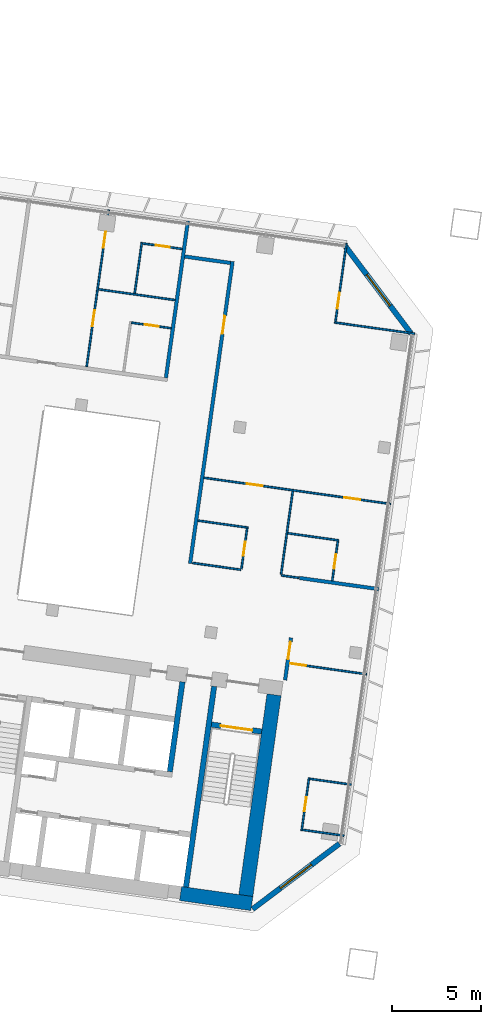
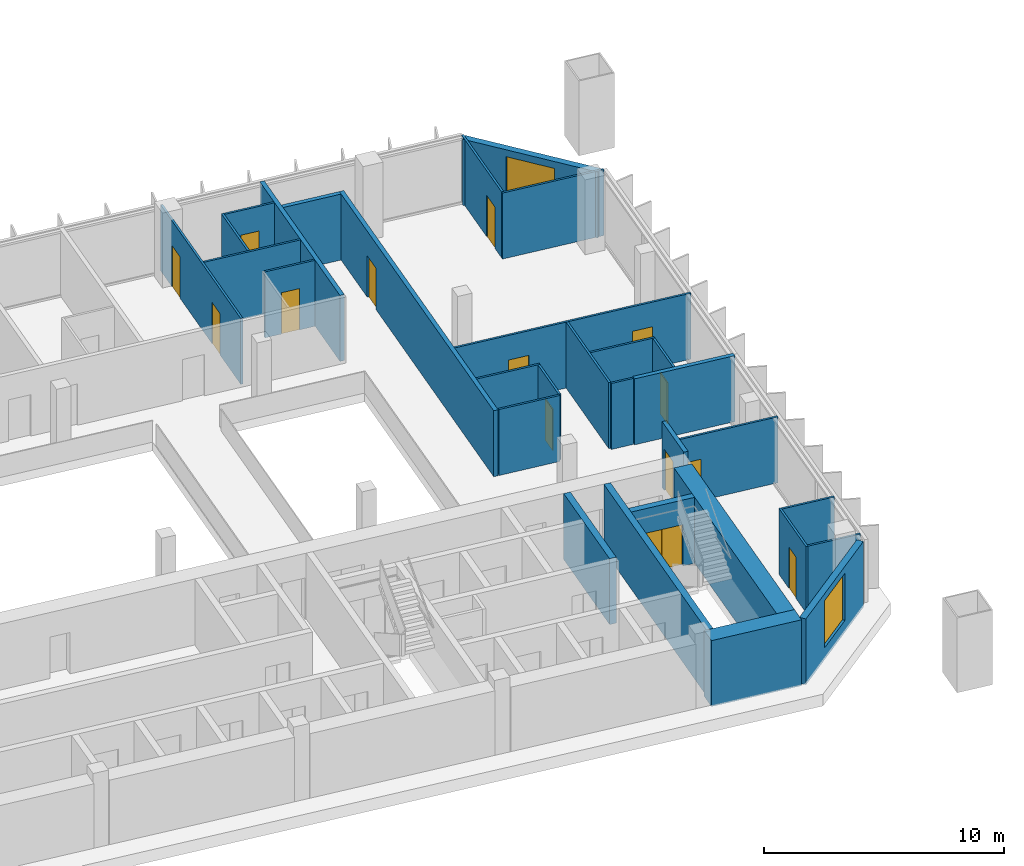
# One storey, part 17 of 24: 31 walls, 14 doors, 2 windows, 16 openings.
"""IFC4 building model written with IfcOpenShell, lengths in metres."""

from ifc_helpers import new_model, si_unit, direction, frame, frame_2d, origin, place, context, subcontext, project, spatial, rectangle, extrude, material, layer, layer_set, type_object, element, fill, save


model = new_model("IFC4")

# Units and contexts
model_context = context("Model", 3, precision=1e-05, world=origin(), true_north=direction((0.0, 1.0)))
body_context = subcontext(model_context, "Body", "Model", "MODEL_VIEW")
ifc_project = project(units=[si_unit("LENGTHUNIT", "METRE"), si_unit("AREAUNIT", "SQUARE_METRE"), si_unit("VOLUMEUNIT", "CUBIC_METRE"), si_unit("PLANEANGLEUNIT", "RADIAN"), si_unit("MASSUNIT", "GRAM", prefix="KILO")], contexts=[model_context])

# Site, building, storey
site_placement = place(None, origin())
site = spatial("IfcSite", under=ifc_project, at=site_placement, CompositionType="ELEMENT")
building_placement = place(site_placement, origin())
building = spatial("IfcBuilding", under=site, at=building_placement, Name="Mirante Cascada Hotel Towers", CompositionType="ELEMENT")
storey_placement = place(building_placement, frame((0.0, 0.0, 110.1)))
storey = spatial("IfcBuildingStorey", under=building, at=storey_placement, Name="L24", CompositionType="ELEMENT", Elevation=110.1)

# Walls
ifc_material_1 = material(Name="Fire-rated plasterboard on metal studs")
ifc_layer_1 = layer(ifc_material_1, 0.2)
ifc_layer_set_1 = layer_set([ifc_layer_1], Name="Compartment wall 200 EI 120")
wall_type_1 = type_object("IfcWallType", Name="Compartment wall 200 EI 120", PredefinedType="PARTITIONING", material=ifc_layer_set_1)
wall_1_placement = place(storey_placement, frame((-34.4562, -1.3737, 0.0), z_axis=(0.0, 0.0, 1.0), x_axis=(0.9902674, -0.1391779, 0.0)))
element("IfcWall", 1, at=wall_1_placement, inside=storey, type_object=wall_type_1, Name="Wall 1-L24-08", PredefinedType="PARTITIONING", context=body_context, shape_type="SweptSolid", body=[
    extrude(rectangle(XDim=4.5, YDim=0.2, at=frame_2d((2.25, 0.0))), origin(), (0.0, 0.0, 1.0), 3.35),
])
wall_2_placement = place(storey_placement, frame((-40.9036, 16.6995, 0.0), z_axis=(0.0, 0.0, 1.0), x_axis=(0.9902647, -0.1391971, 0.0)))
element("IfcWall", 2, at=wall_2_placement, inside=storey, type_object=wall_type_1, Name="Wall 1-L24-28", PredefinedType="PARTITIONING", context=body_context, shape_type="SweptSolid", body=[
    extrude(rectangle(XDim=2.5999, YDim=0.2, at=frame_2d((1.3, 0.0))), origin(), (0.0, 0.0, 1.0), 3.35),
])

# Wall, opening, door
wall_3_placement = place(storey_placement, frame((-34.9294, -4.7406, 0.0), z_axis=(0.0, 0.0, 1.0), x_axis=(-0.1391635, -0.9902694, 0.0)))
wall_3 = element("IfcWall", 3, at=wall_3_placement, inside=storey, type_object=wall_type_1, Name="Wall 1-L24-34", PredefinedType="PARTITIONING", context=body_context, shape_type="SweptSolid", body=[
    extrude(rectangle(XDim=2.4001, YDim=0.2, at=frame_2d((1.2, 0.0))), origin(), (0.0, 0.0, 1.0), 3.35),
])
opening_1_placement = place(wall_3_placement, frame((0.2167, 0.0, 0.0)))
opening_1 = element("IfcOpeningElement", 4, at=opening_1_placement, cuts=wall_3, Name="Opening D1-L24-28", PredefinedType="OPENING", context=body_context, shape_type="SweptSolid", body=[
    extrude(rectangle(XDim=1.0, YDim=2.1, at=frame_2d((0.5, 1.05))), frame((0.0, 0.1, 0.0), z_axis=(0.0, -1.0, 0.0), x_axis=(1.0, 0.0, 0.0)), (0.0, 0.0, 1.0), 0.2),
])
ifc_material_2 = material(Name="Fire-rated timber door leaf", Category="wood")
door_type_1 = type_object("IfcDoorType", Name="Entrance door DG1 1000x2100 EI 60", OperationType="SINGLE_SWING_LEFT", PredefinedType="DOOR", material=ifc_material_2)
door_1_placement = place(opening_1_placement, origin())
door_1 = element("IfcDoor", 5, at=door_1_placement, inside=storey, type_object=door_type_1, Name="Door D1-L24-28", OperationType="SINGLE_SWING_LEFT", OverallHeight=2.1, OverallWidth=1.0, PredefinedType="DOOR", context=body_context, shape_type="SweptSolid", body=[
    extrude(rectangle(XDim=1.0, YDim=2.1, at=frame_2d((0.5, 1.05))), frame((0.0, 0.025, 0.0), z_axis=(0.0, -1.0, 0.0), x_axis=(1.0, 0.0, 0.0)), (0.0, 0.0, 1.0), 0.05),
])
fill(opening_1, door_1)

wall_4_placement = place(storey_placement, frame((-38.216, 16.4227, 0.0), z_axis=(0.0, 0.0, 1.0), x_axis=(-0.139172, -0.9902682, 0.0)))
wall_4 = element("IfcWall", 6, at=wall_4_placement, inside=storey, type_object=wall_type_1, Name="Wall 1-L24-38", PredefinedType="PARTITIONING", context=body_context, shape_type="SweptSolid", body=[
    extrude(rectangle(XDim=17.15, YDim=0.2, at=frame_2d((8.575, 0.0))), origin(), (0.0, 0.0, 1.0), 3.35),
])
opening_2_placement = place(wall_4_placement, frame((3.1, 0.0, 0.0)))
opening_2 = element("IfcOpeningElement", 7, at=opening_2_placement, cuts=wall_4, Name="Opening D1-L24-31", PredefinedType="OPENING", context=body_context, shape_type="SweptSolid", body=[
    extrude(rectangle(XDim=1.0, YDim=2.1, at=frame_2d((0.5, 1.05))), frame((0.0, 0.1, 0.0), z_axis=(0.0, -1.0, 0.0), x_axis=(1.0, 0.0, 0.0)), (0.0, 0.0, 1.0), 0.2),
])
door_2_placement = place(opening_2_placement, origin())
door_2 = element("IfcDoor", 8, at=door_2_placement, inside=storey, type_object=door_type_1, Name="Door D1-L24-31", OperationType="SINGLE_SWING_LEFT", OverallHeight=2.1, OverallWidth=1.0, PredefinedType="DOOR", context=body_context, shape_type="SweptSolid", body=[
    extrude(rectangle(XDim=1.0, YDim=2.1, at=frame_2d((0.5, 1.05))), frame((0.0, 0.025, 0.0), z_axis=(0.0, -1.0, 0.0), x_axis=(1.0, 0.0, 0.0)), (0.0, 0.0, 1.0), 0.05),
])
fill(opening_2, door_2)

# Walls
wall_5_placement = place(storey_placement, frame((-41.963, 9.8805, 0.0), z_axis=(0.0, 0.0, 1.0), x_axis=(0.1391794, 0.9902672, 0.0)))
element("IfcWall", 9, at=wall_5_placement, inside=storey, type_object=wall_type_1, Name="Wall 1-L24-39", PredefinedType="PARTITIONING", context=body_context, shape_type="SweptSolid", body=[
    extrude(rectangle(XDim=8.9, YDim=0.2, at=frame_2d((4.45, 0.0))), origin(), (0.0, 0.0, 1.0), 3.35),
])
ifc_material_3 = material(Name="Plasterboard on metal studs")
ifc_layer_2 = layer(ifc_material_3, 0.1)
ifc_layer_set_2 = layer_set([ifc_layer_2], Name="Partition 100")
wall_type_2 = type_object("IfcWallType", Name="Partition 100", PredefinedType="PARTITIONING", material=ifc_layer_set_2)
for number, where, z_axis, x_axis, name in (
    (10, (-34.2756, -15.5367, 0.0), (0.0, 0.0, 1.0), (0.9902661, -0.139187, 0.0), "Wall 1-L24-02"),
    (11, (-31.5448, -12.992, 0.0), (0.0, 0.0, 1.0), (-0.9902661, 0.139187, 0.0), "Wall 1-L24-03"),
):
    element("IfcWall", number, at=place(storey_placement, frame(where, z_axis=z_axis, x_axis=x_axis)), inside=storey, type_object=wall_type_2, Name=name, PredefinedType="PARTITIONING", context=body_context, shape_type="SweptSolid", body=[
        extrude(rectangle(XDim=2.3501, YDim=0.1, at=frame_2d((1.175, 0.0))), origin(), (0.0, 0.0, 1.0), 3.35),
    ])

# Wall, opening, door
wall_6_placement = place(storey_placement, frame((-35.0298, -6.1739, 0.0), z_axis=(0.0, 0.0, 1.0), x_axis=(0.9902665, -0.1391841, 0.0)))
wall_6 = element("IfcWall", 12, at=wall_6_placement, inside=storey, type_object=wall_type_2, Name="Wall 1-L24-04", PredefinedType="PARTITIONING", context=body_context, shape_type="SweptSolid", body=[
    extrude(rectangle(XDim=4.3999, YDim=0.1, at=frame_2d((2.2, 0.0))), origin(), (0.0, 0.0, 1.0), 3.35),
])
opening_3_placement = place(wall_6_placement, frame((0.05, 0.0, 0.0)))
opening_3 = element("IfcOpeningElement", 13, at=opening_3_placement, cuts=wall_6, Name="Opening D1-L24-02", PredefinedType="OPENING", context=body_context, shape_type="SweptSolid", body=[
    extrude(rectangle(XDim=0.9, YDim=2.1, at=frame_2d((0.45, 1.05))), frame((0.0, 0.05, 0.0), z_axis=(0.0, -1.0, 0.0), x_axis=(1.0, 0.0, 0.0)), (0.0, 0.0, 1.0), 0.1),
])
ifc_material_4 = material(Name="Timber door leaf", Category="wood")
door_type_2 = type_object("IfcDoorType", Name="Room door DG3 900x2100", OperationType="SINGLE_SWING_LEFT", PredefinedType="DOOR", material=ifc_material_4)
door_3_placement = place(opening_3_placement, frame((0.9, 0.0, 0.0), z_axis=(0.0, 0.0, 1.0), x_axis=(-1.0, 0.0, 0.0)))
door_3 = element("IfcDoor", 14, at=door_3_placement, inside=storey, type_object=door_type_2, Name="Door D1-L24-02", OperationType="SINGLE_SWING_RIGHT", OverallHeight=2.1, OverallWidth=0.9, PredefinedType="DOOR", context=body_context, shape_type="SweptSolid", body=[
    extrude(rectangle(XDim=0.9, YDim=2.1, at=frame_2d((0.45, 1.05))), frame((0.0, 0.025, 0.0), z_axis=(0.0, -1.0, 0.0), x_axis=(1.0, 0.0, 0.0)), (0.0, 0.0, 1.0), 0.05),
])
fill(opening_3, door_3)

# Walls
wall_7_placement = place(storey_placement, frame((-34.4859, -1.3695, 0.0), z_axis=(0.0, 0.0, 1.0), x_axis=(-0.9902801, 0.1390877, 0.0)))
element("IfcWall", 15, at=wall_7_placement, inside=storey, type_object=wall_type_2, Name="Wall 1-L24-09", PredefinedType="PARTITIONING", context=body_context, shape_type="SweptSolid", body=[
    extrude(rectangle(XDim=0.99, YDim=0.1, at=frame_2d((0.495, 0.0))), origin(), (0.0, 0.0, 1.0), 3.35),
])
wall_8_placement = place(storey_placement, frame((-40.4671, -0.5289, 0.0), z_axis=(0.0, 0.0, 1.0), x_axis=(0.9902645, -0.1391984, 0.0)))
element("IfcWall", 16, at=wall_8_placement, inside=storey, type_object=wall_type_2, Name="Wall 1-L24-10", PredefinedType="PARTITIONING", context=body_context, shape_type="SweptSolid", body=[
    extrude(rectangle(XDim=2.74, YDim=0.1, at=frame_2d((1.37, 0.0))), origin(), (0.0, 0.0, 1.0), 3.35),
])
wall_9_placement = place(storey_placement, frame((-35.1125, 1.1421, 0.0), z_axis=(0.0, 0.0, 1.0), x_axis=(0.9902683, -0.1391714, 0.0)))
element("IfcWall", 17, at=wall_9_placement, inside=storey, type_object=wall_type_2, Name="Wall 1-L24-12", PredefinedType="PARTITIONING", context=body_context, shape_type="SweptSolid", body=[
    extrude(rectangle(XDim=2.9, YDim=0.1, at=frame_2d((1.45, 0.0))), origin(), (0.0, 0.0, 1.0), 3.35),
])
wall_10_placement = place(storey_placement, frame((-37.3406, 1.4552, 0.0), z_axis=(0.0, 0.0, 1.0), x_axis=(-0.9902649, 0.1391957, 0.0)))
element("IfcWall", 18, at=wall_10_placement, inside=storey, type_object=wall_type_2, Name="Wall 1-L24-13", PredefinedType="PARTITIONING", context=body_context, shape_type="SweptSolid", body=[
    extrude(rectangle(XDim=2.8499, YDim=0.1, at=frame_2d((1.425, 0.0))), origin(), (0.0, 0.0, 1.0), 3.35),
])

# Wall, openings, doors
wall_11_placement = place(storey_placement, frame((-39.8242, 4.2615, 0.0), z_axis=(0.0, 0.0, 1.0), x_axis=(0.9902686, -0.1391691, 0.0)))
wall_11 = element("IfcWall", 19, at=wall_11_placement, inside=storey, type_object=wall_type_2, Name="Wall 1-L24-16", PredefinedType="PARTITIONING", context=body_context, shape_type="SweptSolid", body=[
    extrude(rectangle(XDim=10.6001, YDim=0.1, at=frame_2d((5.3, 0.0))), origin(), (0.0, 0.0, 1.0), 3.35),
])
opening_4_placement = place(wall_11_placement, frame((7.975, 0.0, 0.0)))
opening_4 = element("IfcOpeningElement", 20, at=opening_4_placement, cuts=wall_11, Name="Opening D1-L24-05", PredefinedType="OPENING", context=body_context, shape_type="SweptSolid", body=[
    extrude(rectangle(XDim=0.9, YDim=2.1, at=frame_2d((0.45, 1.05))), frame((0.0, 0.05, 0.0), z_axis=(0.0, -1.0, 0.0), x_axis=(1.0, 0.0, 0.0)), (0.0, 0.0, 1.0), 0.1),
])
opening_5_placement = place(wall_11_placement, frame((2.425, 0.0, 0.0)))
opening_5 = element("IfcOpeningElement", 21, at=opening_5_placement, cuts=wall_11, Name="Opening D1-L24-06", PredefinedType="OPENING", context=body_context, shape_type="SweptSolid", body=[
    extrude(rectangle(XDim=0.9, YDim=2.1, at=frame_2d((0.45, 1.05))), frame((0.0, 0.05, 0.0), z_axis=(0.0, -1.0, 0.0), x_axis=(1.0, 0.0, 0.0)), (0.0, 0.0, 1.0), 0.1),
])
door_4_placement = place(opening_4_placement, origin())
door_4 = element("IfcDoor", 22, at=door_4_placement, inside=storey, type_object=door_type_2, Name="Door D1-L24-05", OperationType="SINGLE_SWING_LEFT", OverallHeight=2.1, OverallWidth=0.9, PredefinedType="DOOR", context=body_context, shape_type="SweptSolid", body=[
    extrude(rectangle(XDim=0.9, YDim=2.1, at=frame_2d((0.45, 1.05))), frame((0.0, 0.025, 0.0), z_axis=(0.0, -1.0, 0.0), x_axis=(1.0, 0.0, 0.0)), (0.0, 0.0, 1.0), 0.05),
])
fill(opening_4, door_4)
door_5_placement = place(opening_5_placement, origin())
door_5 = element("IfcDoor", 23, at=door_5_placement, inside=storey, type_object=door_type_2, Name="Door D1-L24-06", OperationType="SINGLE_SWING_LEFT", OverallHeight=2.1, OverallWidth=0.9, PredefinedType="DOOR", context=body_context, shape_type="SweptSolid", body=[
    extrude(rectangle(XDim=0.9, YDim=2.1, at=frame_2d((0.45, 1.05))), frame((0.0, 0.025, 0.0), z_axis=(0.0, -1.0, 0.0), x_axis=(1.0, 0.0, 0.0)), (0.0, 0.0, 1.0), 0.05),
])
fill(opening_5, door_5)

# Wall, opening, door
wall_12_placement = place(storey_placement, frame((-41.6723, 12.6672, 0.0), z_axis=(0.0, 0.0, 1.0), x_axis=(-0.9902643, 0.1391997, 0.0)))
wall_12 = element("IfcWall", 24, at=wall_12_placement, inside=storey, type_object=wall_type_2, Name="Wall 1-L24-19", PredefinedType="PARTITIONING", context=body_context, shape_type="SweptSolid", body=[
    extrude(rectangle(XDim=2.25, YDim=0.1, at=frame_2d((1.125, 0.0))), origin(), (0.0, 0.0, 1.0), 3.35),
])
opening_6_placement = place(wall_12_placement, frame((0.7, 0.0, 0.0)))
opening_6 = element("IfcOpeningElement", 25, at=opening_6_placement, cuts=wall_12, Name="Opening D1-L24-16", PredefinedType="OPENING", context=body_context, shape_type="SweptSolid", body=[
    extrude(rectangle(XDim=0.8, YDim=2.1, at=frame_2d((0.4, 1.05))), frame((0.0, 0.05, 0.0), z_axis=(0.0, -1.0, 0.0), x_axis=(1.0, 0.0, 0.0)), (0.0, 0.0, 1.0), 0.1),
])
ifc_material_5 = material(Name="Timber door leaf", Category="wood")
door_type_3 = type_object("IfcDoorType", Name="Bathroom door DG4 800x2100", OperationType="SINGLE_SWING_LEFT", PredefinedType="DOOR", material=ifc_material_5)
door_6_placement = place(opening_6_placement, origin())
door_6 = element("IfcDoor", 26, at=door_6_placement, inside=storey, type_object=door_type_3, Name="Door D1-L24-16", OperationType="SINGLE_SWING_LEFT", OverallHeight=2.1, OverallWidth=0.8, PredefinedType="DOOR", context=body_context, shape_type="SweptSolid", body=[
    extrude(rectangle(XDim=0.8, YDim=2.1, at=frame_2d((0.4, 1.05))), frame((0.0, 0.025, 0.0), z_axis=(0.0, -1.0, 0.0), x_axis=(1.0, 0.0, 0.0)), (0.0, 0.0, 1.0), 0.05),
])
fill(opening_6, door_6)

# Walls
wall_13_placement = place(storey_placement, frame((-27.982, 12.3589, 0.0), z_axis=(0.0, 0.0, 1.0), x_axis=(-0.9902691, 0.1391656, 0.0)))
element("IfcWall", 27, at=wall_13_placement, inside=storey, type_object=wall_type_2, Name="Wall 1-L24-25", PredefinedType="PARTITIONING", context=body_context, shape_type="SweptSolid", body=[
    extrude(rectangle(XDim=4.55, YDim=0.1, at=frame_2d((2.275, 0.0))), origin(), (0.0, 0.0, 1.0), 3.35),
])
wall_14_placement = place(storey_placement, frame((-45.7573, 14.857, 0.0), z_axis=(0.0, 0.0, 1.0), x_axis=(0.9902683, -0.1391714, 0.0)))
element("IfcWall", 28, at=wall_14_placement, inside=storey, type_object=wall_type_2, Name="Wall 1-L24-26", PredefinedType="PARTITIONING", context=body_context, shape_type="SweptSolid", body=[
    extrude(rectangle(XDim=4.35, YDim=0.1, at=frame_2d((2.175, 0.0))), origin(), (0.0, 0.0, 1.0), 3.35),
])

# Wall, opening, door
wall_15_placement = place(storey_placement, frame((-43.2741, 17.4366, 0.0), z_axis=(0.0, 0.0, 1.0), x_axis=(0.9902643, -0.1391997, 0.0)))
wall_15 = element("IfcWall", 29, at=wall_15_placement, inside=storey, type_object=wall_type_2, Name="Wall 1-L24-30", PredefinedType="PARTITIONING", context=body_context, shape_type="SweptSolid", body=[
    extrude(rectangle(XDim=2.25, YDim=0.1, at=frame_2d((1.125, 0.0))), origin(), (0.0, 0.0, 1.0), 3.35),
])
opening_7_placement = place(wall_15_placement, frame((0.75, 0.0, 0.0)))
opening_7 = element("IfcOpeningElement", 30, at=opening_7_placement, cuts=wall_15, Name="Opening D1-L24-24", PredefinedType="OPENING", context=body_context, shape_type="SweptSolid", body=[
    extrude(rectangle(XDim=0.8, YDim=2.1, at=frame_2d((0.4, 1.05))), frame((0.0, 0.05, 0.0), z_axis=(0.0, -1.0, 0.0), x_axis=(1.0, 0.0, 0.0)), (0.0, 0.0, 1.0), 0.1),
])
door_7_placement = place(opening_7_placement, frame((0.8, 0.0, 0.0), z_axis=(0.0, 0.0, 1.0), x_axis=(-1.0, 0.0, 0.0)))
door_7 = element("IfcDoor", 31, at=door_7_placement, inside=storey, type_object=door_type_3, Name="Door D1-L24-24", OperationType="SINGLE_SWING_RIGHT", OverallHeight=2.1, OverallWidth=0.8, PredefinedType="DOOR", context=body_context, shape_type="SweptSolid", body=[
    extrude(rectangle(XDim=0.8, YDim=2.1, at=frame_2d((0.4, 1.05))), frame((0.0, 0.025, 0.0), z_axis=(0.0, -1.0, 0.0), x_axis=(1.0, 0.0, 0.0)), (0.0, 0.0, 1.0), 0.05),
])
fill(opening_7, door_7)

wall_16_placement = place(storey_placement, frame((-33.9145, -12.6084, 0.0), z_axis=(0.0, 0.0, 1.0), x_axis=(-0.1391624, -0.9902696, 0.0)))
wall_16 = element("IfcWall", 32, at=wall_16_placement, inside=storey, type_object=wall_type_2, Name="Wall 1-L24-32", PredefinedType="PARTITIONING", context=body_context, shape_type="SweptSolid", body=[
    extrude(rectangle(XDim=3.0001, YDim=0.1, at=frame_2d((1.5001, 0.0))), origin(), (0.0, 0.0, 1.0), 3.35),
])
opening_8_placement = place(wall_16_placement, frame((1.1, 0.0, 0.0)))
opening_8 = element("IfcOpeningElement", 33, at=opening_8_placement, cuts=wall_16, Name="Opening D1-L24-26", PredefinedType="OPENING", context=body_context, shape_type="SweptSolid", body=[
    extrude(rectangle(XDim=0.8, YDim=2.1, at=frame_2d((0.4, 1.05))), frame((0.0, 0.05, 0.0), z_axis=(0.0, -1.0, 0.0), x_axis=(1.0, 0.0, 0.0)), (0.0, 0.0, 1.0), 0.1),
])
door_8_placement = place(opening_8_placement, frame((0.8, 0.0, 0.0), z_axis=(0.0, 0.0, 1.0), x_axis=(-1.0, 0.0, 0.0)))
door_8 = element("IfcDoor", 34, at=door_8_placement, inside=storey, type_object=door_type_3, Name="Door D1-L24-26", OperationType="SINGLE_SWING_RIGHT", OverallHeight=2.1, OverallWidth=0.8, PredefinedType="DOOR", context=body_context, shape_type="SweptSolid", body=[
    extrude(rectangle(XDim=0.8, YDim=2.1, at=frame_2d((0.4, 1.05))), frame((0.0, 0.025, 0.0), z_axis=(0.0, -1.0, 0.0), x_axis=(1.0, 0.0, 0.0)), (0.0, 0.0, 1.0), 0.05),
])
fill(opening_8, door_8)

wall_17_placement = place(storey_placement, frame((-32.6103, -1.5322, 0.0), z_axis=(0.0, 0.0, 1.0), x_axis=(0.1391561, 0.9902705, 0.0)))
wall_17 = element("IfcWall", 35, at=wall_17_placement, inside=storey, type_object=wall_type_2, Name="Wall 1-L24-33", PredefinedType="PARTITIONING", context=body_context, shape_type="SweptSolid", body=[
    extrude(rectangle(XDim=2.25, YDim=0.1, at=frame_2d((1.125, 0.0))), origin(), (0.0, 0.0, 1.0), 3.35),
])
opening_9_placement = place(wall_17_placement, frame((0.7, 0.0, 0.0)))
opening_9 = element("IfcOpeningElement", 36, at=opening_9_placement, cuts=wall_17, Name="Opening D1-L24-27", PredefinedType="OPENING", context=body_context, shape_type="SweptSolid", body=[
    extrude(rectangle(XDim=0.8, YDim=2.1, at=frame_2d((0.4, 1.05))), frame((0.0, 0.05, 0.0), z_axis=(0.0, -1.0, 0.0), x_axis=(1.0, 0.0, 0.0)), (0.0, 0.0, 1.0), 0.1),
])
door_9_placement = place(opening_9_placement, origin())
door_9 = element("IfcDoor", 37, at=door_9_placement, inside=storey, type_object=door_type_3, Name="Door D1-L24-27", OperationType="SINGLE_SWING_LEFT", OverallHeight=2.1, OverallWidth=0.8, PredefinedType="DOOR", context=body_context, shape_type="SweptSolid", body=[
    extrude(rectangle(XDim=0.8, YDim=2.1, at=frame_2d((0.4, 1.05))), frame((0.0, 0.025, 0.0), z_axis=(0.0, -1.0, 0.0), x_axis=(1.0, 0.0, 0.0)), (0.0, 0.0, 1.0), 0.05),
])
fill(opening_9, door_9)

wall_18_placement = place(storey_placement, frame((-32.4312, 13.0347, 0.0), z_axis=(0.0, 0.0, 1.0), x_axis=(0.1391684, 0.9902687, 0.0)))
wall_18 = element("IfcWall", 38, at=wall_18_placement, inside=storey, type_object=wall_type_2, Name="Wall 1-L24-35", PredefinedType="PARTITIONING", context=body_context, shape_type="SweptSolid", body=[
    extrude(rectangle(XDim=4.45, YDim=0.1, at=frame_2d((2.225, 0.0))), origin(), (0.0, 0.0, 1.0), 3.35),
])
opening_10_placement = place(wall_18_placement, frame((0.75, 0.0, 0.0)))
opening_10 = element("IfcOpeningElement", 39, at=opening_10_placement, cuts=wall_18, Name="Opening D1-L24-29", PredefinedType="OPENING", context=body_context, shape_type="SweptSolid", body=[
    extrude(rectangle(XDim=0.9, YDim=2.1, at=frame_2d((0.45, 1.05))), frame((0.0, 0.05, 0.0), z_axis=(0.0, -1.0, 0.0), x_axis=(1.0, 0.0, 0.0)), (0.0, 0.0, 1.0), 0.1),
])
door_10_placement = place(opening_10_placement, origin())
door_10 = element("IfcDoor", 40, at=door_10_placement, inside=storey, type_object=door_type_2, Name="Door D1-L24-29", OperationType="SINGLE_SWING_LEFT", OverallHeight=2.1, OverallWidth=0.9, PredefinedType="DOOR", context=body_context, shape_type="SweptSolid", body=[
    extrude(rectangle(XDim=0.9, YDim=2.1, at=frame_2d((0.45, 1.05))), frame((0.0, 0.025, 0.0), z_axis=(0.0, -1.0, 0.0), x_axis=(1.0, 0.0, 0.0)), (0.0, 0.0, 1.0), 0.05),
])
fill(opening_10, door_10)

# Wall
wall_19_placement = place(storey_placement, frame((-34.8303, 3.5092, 0.0), z_axis=(0.0, 0.0, 1.0), x_axis=(-0.1391613, -0.9902697, 0.0)))
element("IfcWall", 41, at=wall_19_placement, inside=storey, type_object=wall_type_2, Name="Wall 1-L24-36", PredefinedType="PARTITIONING", context=body_context, shape_type="SweptSolid", body=[
    extrude(rectangle(XDim=4.7334, YDim=0.1, at=frame_2d((2.3667, 0.0))), origin(), (0.0, 0.0, 1.0), 3.35),
])

# Wall, opening, door
wall_20_placement = place(storey_placement, frame((-37.7171, -0.8649, 0.0), z_axis=(0.0, 0.0, 1.0), x_axis=(0.1391749, 0.9902678, 0.0)))
wall_20 = element("IfcWall", 42, at=wall_20_placement, inside=storey, type_object=wall_type_2, Name="Wall 1-L24-37", PredefinedType="PARTITIONING", context=body_context, shape_type="SweptSolid", body=[
    extrude(rectangle(XDim=2.3, YDim=0.1, at=frame_2d((1.15, 0.0))), origin(), (0.0, 0.0, 1.0), 3.35),
])
opening_11_placement = place(wall_20_placement, frame((0.75, 0.0, 0.0)))
opening_11 = element("IfcOpeningElement", 43, at=opening_11_placement, cuts=wall_20, Name="Opening D1-L24-30", PredefinedType="OPENING", context=body_context, shape_type="SweptSolid", body=[
    extrude(rectangle(XDim=0.8, YDim=2.1, at=frame_2d((0.4, 1.05))), frame((0.0, 0.05, 0.0), z_axis=(0.0, -1.0, 0.0), x_axis=(1.0, 0.0, 0.0)), (0.0, 0.0, 1.0), 0.1),
])
door_11_placement = place(opening_11_placement, origin())
door_11 = element("IfcDoor", 44, at=door_11_placement, inside=storey, type_object=door_type_3, Name="Door D1-L24-30", OperationType="SINGLE_SWING_LEFT", OverallHeight=2.1, OverallWidth=0.8, PredefinedType="DOOR", context=body_context, shape_type="SweptSolid", body=[
    extrude(rectangle(XDim=0.8, YDim=2.1, at=frame_2d((0.4, 1.05))), frame((0.0, 0.025, 0.0), z_axis=(0.0, -1.0, 0.0), x_axis=(1.0, 0.0, 0.0)), (0.0, 0.0, 1.0), 0.05),
])
fill(opening_11, door_11)

# Wall
wall_21_placement = place(storey_placement, frame((-43.7203, 14.6213, 0.0), z_axis=(0.0, 0.0, 1.0), x_axis=(0.1391761, 0.9902676, 0.0)))
element("IfcWall", 45, at=wall_21_placement, inside=storey, type_object=wall_type_2, Name="Wall 1-L24-41", PredefinedType="PARTITIONING", context=body_context, shape_type="SweptSolid", body=[
    extrude(rectangle(XDim=2.8999, YDim=0.1, at=frame_2d((1.45, 0.0))), origin(), (0.0, 0.0, 1.0), 3.35),
])

# Wall, openings, doors
wall_22_placement = place(storey_placement, frame((-45.1805, 19.3202, 0.0), z_axis=(0.0, 0.0, 1.0), x_axis=(-0.1391794, -0.9902672, 0.0)))
wall_22 = element("IfcWall", 46, at=wall_22_placement, inside=storey, type_object=wall_type_2, Name="Wall 1-L24-42", PredefinedType="PARTITIONING", context=body_context, shape_type="SweptSolid", body=[
    extrude(rectangle(XDim=8.9, YDim=0.1, at=frame_2d((4.45, 0.0))), origin(), (0.0, 0.0, 1.0), 3.35),
])
opening_12_placement = place(wall_22_placement, frame((5.7, 0.0, 0.0)))
opening_12 = element("IfcOpeningElement", 47, at=opening_12_placement, cuts=wall_22, Name="Opening D1-L24-32", PredefinedType="OPENING", context=body_context, shape_type="SweptSolid", body=[
    extrude(rectangle(XDim=0.9, YDim=2.1, at=frame_2d((0.45, 1.05))), frame((0.0, 0.05, 0.0), z_axis=(0.0, -1.0, 0.0), x_axis=(1.0, 0.0, 0.0)), (0.0, 0.0, 1.0), 0.1),
])
opening_13_placement = place(wall_22_placement, frame((1.25, 0.0, 0.0)))
opening_13 = element("IfcOpeningElement", 48, at=opening_13_placement, cuts=wall_22, Name="Opening D1-L24-33", PredefinedType="OPENING", context=body_context, shape_type="SweptSolid", body=[
    extrude(rectangle(XDim=0.9, YDim=2.1, at=frame_2d((0.45, 1.05))), frame((0.0, 0.05, 0.0), z_axis=(0.0, -1.0, 0.0), x_axis=(1.0, 0.0, 0.0)), (0.0, 0.0, 1.0), 0.1),
])
door_12_placement = place(opening_12_placement, frame((0.9, 0.0, 0.0), z_axis=(0.0, 0.0, 1.0), x_axis=(-1.0, 0.0, 0.0)))
door_12 = element("IfcDoor", 49, at=door_12_placement, inside=storey, type_object=door_type_2, Name="Door D1-L24-32", OperationType="SINGLE_SWING_RIGHT", OverallHeight=2.1, OverallWidth=0.9, PredefinedType="DOOR", context=body_context, shape_type="SweptSolid", body=[
    extrude(rectangle(XDim=0.9, YDim=2.1, at=frame_2d((0.45, 1.05))), frame((0.0, 0.025, 0.0), z_axis=(0.0, -1.0, 0.0), x_axis=(1.0, 0.0, 0.0)), (0.0, 0.0, 1.0), 0.05),
])
fill(opening_12, door_12)
door_13_placement = place(opening_13_placement, frame((0.9, 0.0, 0.0), z_axis=(0.0, 0.0, 1.0), x_axis=(-1.0, 0.0, 0.0)))
door_13 = element("IfcDoor", 50, at=door_13_placement, inside=storey, type_object=door_type_2, Name="Door D1-L24-33", OperationType="SINGLE_SWING_RIGHT", OverallHeight=2.1, OverallWidth=0.9, PredefinedType="DOOR", context=body_context, shape_type="SweptSolid", body=[
    extrude(rectangle(XDim=0.9, YDim=2.1, at=frame_2d((0.45, 1.05))), frame((0.0, 0.025, 0.0), z_axis=(0.0, -1.0, 0.0), x_axis=(1.0, 0.0, 0.0)), (0.0, 0.0, 1.0), 0.05),
])
fill(opening_13, door_13)

# Wall, opening, window
ifc_material_6 = material(Name="Precast concrete C40/50", Category="concrete")
ifc_layer_3 = layer(ifc_material_6, 0.3)
ifc_layer_set_3 = layer_set([ifc_layer_3], Name="Precast concrete C40/50 cladding wall 300")
wall_type_3 = type_object("IfcWallType", Name="Precast concrete C40/50 cladding wall 300", PredefinedType="STANDARD", material=ifc_layer_set_3)
wall_23_placement = place(storey_placement, frame((-31.857, 17.252, 0.0), z_axis=(0.0, 0.0, 1.0), x_axis=(0.6018141, -0.7986362, 0.0)))
wall_23 = element("IfcWall", 51, at=wall_23_placement, inside=storey, type_object=wall_type_3, Name="Corner cladding wall T1 L24 front inner", PredefinedType="STANDARD", context=body_context, shape_type="SweptSolid", body=[
    extrude(rectangle(XDim=6.1157, YDim=0.3, at=frame_2d((3.0578, 0.0))), origin(), (0.0, 0.0, 1.0), 3.35),
])
opening_14_placement = place(wall_23_placement, frame((1.9578, 0.0, 0.6)))
opening_14 = element("IfcOpeningElement", 52, at=opening_14_placement, cuts=wall_23, Name="Opening W1-24-05", PredefinedType="OPENING", context=body_context, shape_type="SweptSolid", body=[
    extrude(rectangle(XDim=2.2, YDim=2.4, at=frame_2d((1.1, 1.2))), frame((0.0, 0.15, 0.0), z_axis=(0.0, -1.0, 0.0), x_axis=(1.0, 0.0, 0.0)), (0.0, 0.0, 1.0), 0.3),
])
ifc_material_7 = material(Name="Aluminium frame with clear double glazing", Category="aluminium")
window_type = type_object("IfcWindowType", Name="Corner suite window 2200x2400", PartitioningType="DOUBLE_PANEL_VERTICAL", PredefinedType="WINDOW", material=ifc_material_7)
window_1_placement = place(opening_14_placement, origin())
window_1 = element("IfcWindow", 53, at=window_1_placement, inside=storey, type_object=window_type, Name="Window W1-24-05", OverallHeight=2.4, OverallWidth=2.2, PartitioningType="SINGLE_PANEL", PredefinedType="WINDOW", context=body_context, shape_type="SweptSolid", body=[
    extrude(rectangle(XDim=2.2, YDim=2.4, at=frame_2d((1.1, 1.2))), frame((0.0, 0.03, 0.0), z_axis=(0.0, -1.0, 0.0), x_axis=(1.0, 0.0, 0.0)), (0.0, 0.0, 1.0), 0.06),
])
fill(opening_14, window_1)

wall_24_placement = place(storey_placement, frame((-32.2074, -16.3138, 0.0), z_axis=(0.0, 0.0, 1.0), x_axis=(-0.7986362, -0.6018141, 0.0)))
wall_24 = element("IfcWall", 54, at=wall_24_placement, inside=storey, type_object=wall_type_3, Name="Corner cladding wall T1 L24 inner rear", PredefinedType="STANDARD", context=body_context, shape_type="SweptSolid", body=[
    extrude(rectangle(XDim=6.1157, YDim=0.3, at=frame_2d((3.0578, 0.0))), origin(), (0.0, 0.0, 1.0), 3.35),
])
opening_15_placement = place(wall_24_placement, frame((1.9578, 0.0, 0.6)))
opening_15 = element("IfcOpeningElement", 55, at=opening_15_placement, cuts=wall_24, Name="Opening W1-24-06", PredefinedType="OPENING", context=body_context, shape_type="SweptSolid", body=[
    extrude(rectangle(XDim=2.2, YDim=2.4, at=frame_2d((1.1, 1.2))), frame((0.0, 0.15, 0.0), z_axis=(0.0, -1.0, 0.0), x_axis=(1.0, 0.0, 0.0)), (0.0, 0.0, 1.0), 0.3),
])
window_2_placement = place(opening_15_placement, origin())
window_2 = element("IfcWindow", 56, at=window_2_placement, inside=storey, type_object=window_type, Name="Window W1-24-06", OverallHeight=2.4, OverallWidth=2.2, PartitioningType="SINGLE_PANEL", PredefinedType="WINDOW", context=body_context, shape_type="SweptSolid", body=[
    extrude(rectangle(XDim=2.2, YDim=2.4, at=frame_2d((1.1, 1.2))), frame((0.0, 0.03, 0.0), z_axis=(0.0, -1.0, 0.0), x_axis=(1.0, 0.0, 0.0)), (0.0, 0.0, 1.0), 0.06),
])
fill(opening_15, window_2)

# Wall
ifc_material_8 = material(Name="Concrete C50/60", Category="concrete")
ifc_layer_4 = layer(ifc_material_8, 0.3)
ifc_layer_set_4 = layer_set([ifc_layer_4], Name="RC core wall 300 C50/60")
wall_type_4 = type_object("IfcWallType", Name="RC core wall 300 C50/60", PredefinedType="SHEAR", material=ifc_layer_set_4)
wall_25_placement = place(storey_placement, frame((-40.8373, -18.7548, 0.0), z_axis=(0.0, 0.0, 1.0), x_axis=(0.1391749, 0.9902678, 0.0)))
element("IfcWall", 57, at=wall_25_placement, inside=storey, type_object=wall_type_4, Name="Core wall T1:L24:5", PredefinedType="SHEAR", context=body_context, shape_type="SweptSolid", body=[
    extrude(rectangle(XDim=11.4, YDim=0.3, at=frame_2d((5.7, 0.0))), origin(), (0.0, 0.0, 1.0), 3.35),
])

# Wall, opening, door
wall_26_placement = place(storey_placement, frame((-36.5791, -10.0123, 0.0), z_axis=(0.0, 0.0, 1.0), x_axis=(-0.9902704, 0.1391564, 0.0)))
wall_26 = element("IfcWall", 58, at=wall_26_placement, inside=storey, type_object=wall_type_4, Name="Core wall T1:L24:9", PredefinedType="SHEAR", context=body_context, shape_type="SweptSolid", body=[
    extrude(rectangle(XDim=2.85, YDim=0.3, at=frame_2d((1.425, 0.0))), origin(), (0.0, 0.0, 1.0), 3.35),
])
opening_16_placement = place(wall_26_placement, frame((0.525, 0.0, 0.0)))
opening_16 = element("IfcOpeningElement", 59, at=opening_16_placement, cuts=wall_26, Name="Opening D1-24-C13", PredefinedType="OPENING", context=body_context, shape_type="SweptSolid", body=[
    extrude(rectangle(XDim=1.8, YDim=2.1, at=frame_2d((0.9, 1.05))), frame((0.0, 0.15, 0.0), z_axis=(0.0, -1.0, 0.0), x_axis=(1.0, 0.0, 0.0)), (0.0, 0.0, 1.0), 0.3),
])
ifc_material_9 = material(Name="Hollow metal fire door leaf")
door_type_4 = type_object("IfcDoorType", Name="Double fire door 1800x2100 FD60", OperationType="DOUBLE_DOOR_SINGLE_SWING", PredefinedType="DOOR", material=ifc_material_9)
door_14_placement = place(opening_16_placement, origin())
door_14 = element("IfcDoor", 60, at=door_14_placement, inside=storey, type_object=door_type_4, Name="Stair door T1 L24 13", OperationType="DOUBLE_DOOR_SINGLE_SWING", OverallHeight=2.1, OverallWidth=1.8, PredefinedType="DOOR", context=body_context, shape_type="SweptSolid", body=[
    extrude(rectangle(XDim=0.895, YDim=2.1, at=frame_2d((0.4475, 1.05))), frame((0.0, 0.025, 0.0), z_axis=(0.0, -1.0, 0.0), x_axis=(1.0, 0.0, 0.0)), (0.0, 0.0, 1.0), 0.05),
    extrude(rectangle(XDim=0.895, YDim=2.1, at=frame_2d((1.3525, 1.05))), frame((0.0, 0.025, 0.0), z_axis=(0.0, -1.0, 0.0), x_axis=(1.0, 0.0, 0.0)), (0.0, 0.0, 1.0), 0.05),
])
fill(opening_16, door_14)

# Walls
wall_27_placement = place(storey_placement, frame((-41.743, -12.2656, 0.0), z_axis=(0.0, 0.0, 1.0), x_axis=(0.1391755, 0.9902677, 0.0)))
element("IfcWall", 61, at=wall_27_placement, inside=storey, type_object=wall_type_4, Name="Core wall T1:L24:20", PredefinedType="SHEAR", context=body_context, shape_type="SweptSolid", body=[
    extrude(rectangle(XDim=5.1, YDim=0.3, at=frame_2d((2.55, 0.0))), origin(), (0.0, 0.0, 1.0), 3.35),
])
ifc_material_10 = material(Name="Concrete C50/60", Category="concrete")
ifc_layer_5 = layer(ifc_material_10, 0.8)
ifc_layer_set_5 = layer_set([ifc_layer_5], Name="RC core wall 800 C50/60")
wall_type_5 = type_object("IfcWallType", Name="RC core wall 800 C50/60", PredefinedType="SHEAR", material=ifc_layer_set_5)
wall_28_placement = place(storey_placement, frame((-37.1299, -19.6798, 0.0), z_axis=(0.0, 0.0, 1.0), x_axis=(-0.9902665, 0.1391845, 0.0)))
element("IfcWall", 62, at=wall_28_placement, inside=storey, type_object=wall_type_5, Name="Core wall T1:L24:1.1", PredefinedType="SHEAR", context=body_context, shape_type="SweptSolid", body=[
    extrude(rectangle(XDim=4.05, YDim=0.8, at=frame_2d((2.025, 0.0))), origin(), (0.0, 0.0, 1.0), 3.35),
])
wall_29_placement = place(storey_placement, frame((-37.4704, -19.228, 0.0), z_axis=(0.0, 0.0, 1.0), x_axis=(0.1391749, 0.9902678, 0.0)))
element("IfcWall", 63, at=wall_29_placement, inside=storey, type_object=wall_type_5, Name="Core wall T1:L24:3", PredefinedType="SHEAR", context=body_context, shape_type="SweptSolid", body=[
    extrude(rectangle(XDim=11.4, YDim=0.8, at=frame_2d((5.7, 0.0))), origin(), (0.0, 0.0, 1.0), 3.35),
])

save(model, "model.ifc")
